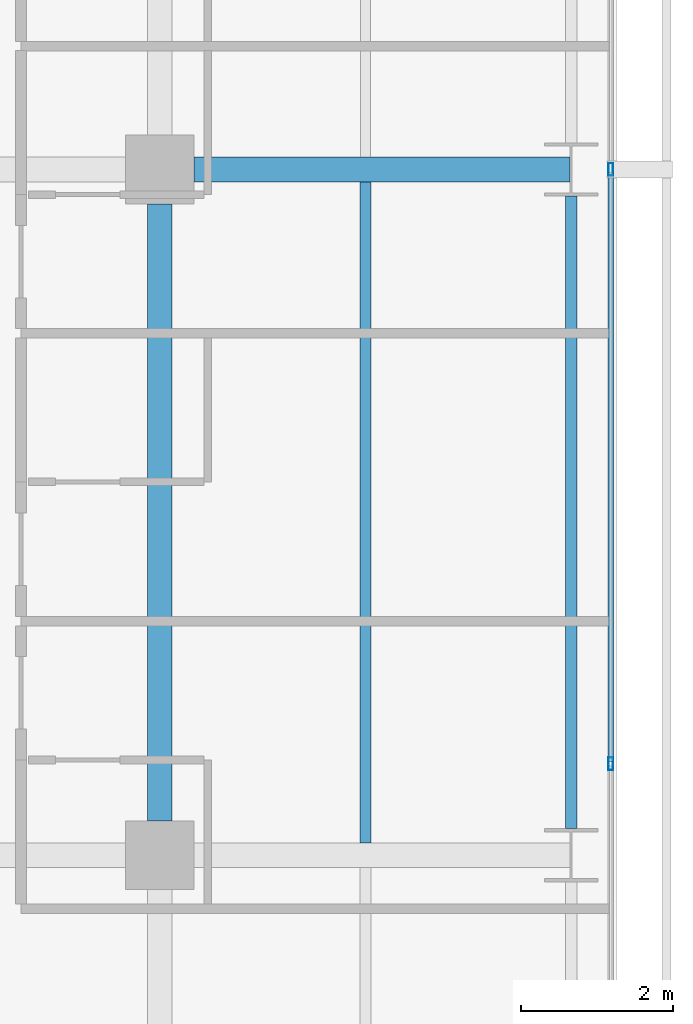
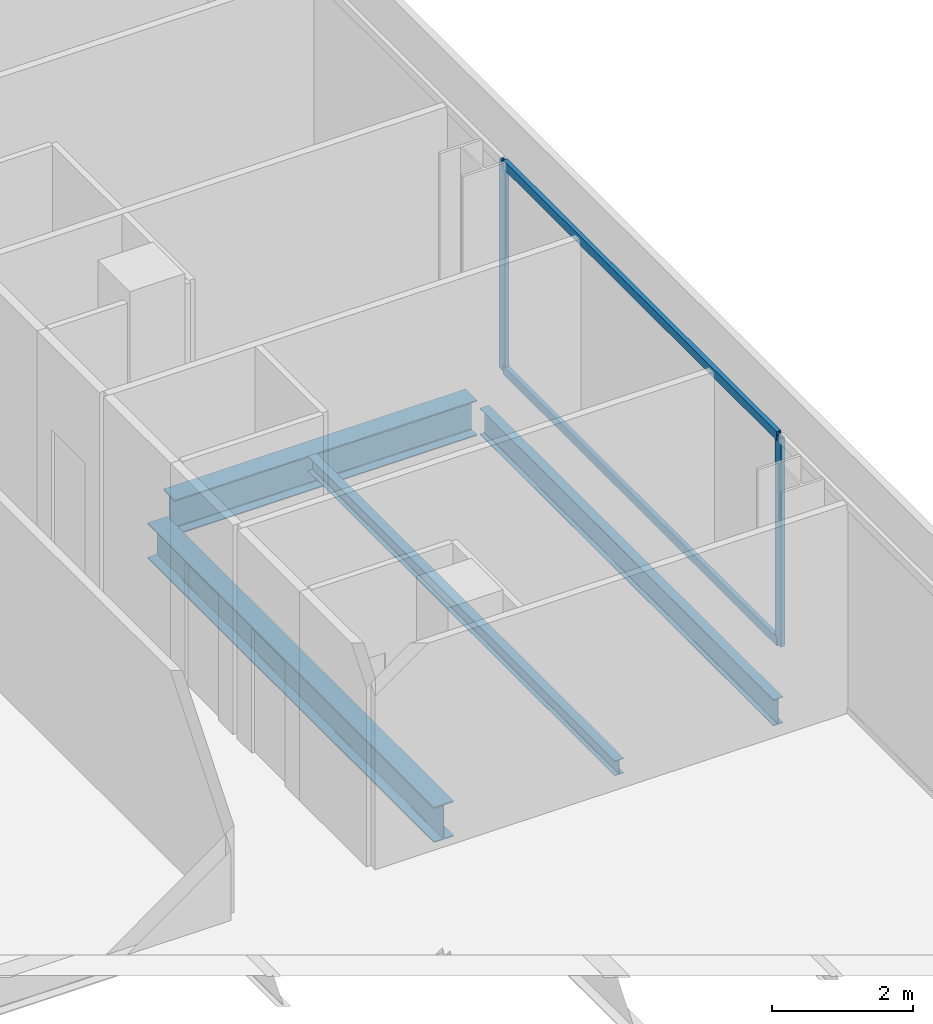
# One storey, part 19 of 40: 4 beams, 4 members, 1 element without a shape of its own.
"""IFC4 building model written with IfcOpenShell, lengths in metres."""

from ifc_helpers import new_model, si_unit, direction, frame, origin, origin_2d, place, context, subcontext, project, spatial, hollow_rectangle, i_section, extrude, material, layer, layer_set, material_profile, profile_set, type_object, element, aggregate, save


model = new_model("IFC4")

# Units and contexts
model_context = context("Model", 3, precision=1e-05, world=origin(), true_north=direction((0.0, 1.0)))
body_context = subcontext(model_context, "Body", "Model", "MODEL_VIEW")
ifc_project = project(units=[si_unit("LENGTHUNIT", "METRE"), si_unit("AREAUNIT", "SQUARE_METRE"), si_unit("VOLUMEUNIT", "CUBIC_METRE"), si_unit("PLANEANGLEUNIT", "RADIAN"), si_unit("MASSUNIT", "GRAM", prefix="KILO")], contexts=[model_context])

# Site, building, storey
site_placement = place(None, origin())
site = spatial("IfcSite", under=ifc_project, at=site_placement, CompositionType="ELEMENT")
building_placement = place(site_placement, origin())
building = spatial("IfcBuilding", under=site, at=building_placement, Name="Maruvema Waterfront Hotel and Observation Tower", CompositionType="ELEMENT")
storey_placement = place(building_placement, frame((0.0, 0.0, 103.949951171875)))
storey = spatial("IfcBuildingStorey", under=building, at=storey_placement, Name="L25", CompositionType="ELEMENT", Elevation=103.949951171875)

# Curtain wall, members
ifc_material_1 = material(Name="Anodised bronze aluminium and solar-control low-E IGU", Category="aluminium")
ifc_layer = layer(ifc_material_1, 0.159912109375, Name="Zone 1 Bronze Inner Thermal Curtain Wall System CW-02")
ifc_layer_set = layer_set([ifc_layer], Name="Anodised bronze aluminium and solar-control low-E IGU")
curtain_wall_type = type_object("IfcCurtainWallType", Name="Zone 1 Bronze Inner Thermal Curtain Wall System CW-02", PredefinedType="USERDEFINED", material=ifc_layer_set)
curtain_wall_placement = place(storey_placement, origin())
curtain_wall = element("IfcCurtainWall", 1, at=curtain_wall_placement, inside=storey, type_object=curtain_wall_type, Name="L25 Curtain Wall CW-L25-E", ObjectType="UNITISED CURTAIN WALL", PredefinedType="USERDEFINED")
ifc_material_2 = material(Name="Anodised architectural bronze aluminium", Category="aluminium")
ifc_material_profile_1 = material_profile(ifc_material_2, hollow_rectangle(XDim=0.070068359375, YDim=0.14990234375, WallThickness=0.00390625, at=origin_2d()), Name="ALU-T70x150")
ifc_profile_set_1 = profile_set([ifc_material_profile_1], Name="Anodised architectural bronze aluminium")
member_type_1 = type_object("IfcMemberType", Name="Curtain Wall Horizontal Transom ALU-T70x150", PredefinedType="USERDEFINED", material=ifc_profile_set_1)
member_1_placement = place(storey_placement, frame((64.719970703125, 19.22998046875, 0.030029296875), z_axis=(0.0, 1.0, 0.0), x_axis=(-1.0, 0.0, 0.0)))
member_1 = element("IfcMember", 2, at=member_1_placement, type_object=member_type_1, Name="CW-02 transom 3.1", ObjectType="TRANSOM", PredefinedType="USERDEFINED", context=body_context, shape_type="SweptSolid", body=[
    extrude(hollow_rectangle(XDim=0.070068359375, YDim=0.14990234375, WallThickness=0.00390625, at=origin_2d()), origin(), (0.0, 0.0, 1.0), 7.739990234375),
])
member_2_placement = place(storey_placement, frame((64.719970703125, 19.22998046875, 3.580078125), z_axis=(0.0, 1.0, 0.0), x_axis=(-1.0, 0.0, 0.0)))
member_2 = element("IfcMember", 3, at=member_2_placement, type_object=member_type_1, Name="CW-02 transom 3.2", ObjectType="TRANSOM", PredefinedType="USERDEFINED", context=body_context, shape_type="SweptSolid", body=[
    extrude(hollow_rectangle(XDim=0.070068359375, YDim=0.14990234375, WallThickness=0.00390625, at=origin_2d()), origin(), (0.0, 0.0, 1.0), 7.739990234375),
])
ifc_material_3 = material(Name="Anodised architectural bronze aluminium", Category="aluminium")
ifc_material_profile_2 = material_profile(ifc_material_3, hollow_rectangle(XDim=0.06494140625, YDim=0.1650390625, WallThickness=0.00390625, at=origin_2d()), Name="ALU-M65x165")
ifc_profile_set_2 = profile_set([ifc_material_profile_2], Name="Anodised architectural bronze aluminium")
member_type_2 = type_object("IfcMemberType", Name="Curtain Wall Primary Mullion ALU-M65x165", PredefinedType="MULLION", material=ifc_profile_set_2)
member_3_placement = place(storey_placement, frame((64.719970703125, 19.199951171875, 0.0), z_axis=(0.0, 0.0, 1.0), x_axis=(-1.0, 0.0, 0.0)))
member_3 = element("IfcMember", 4, at=member_3_placement, type_object=member_type_2, Name="CW-02 mullion 3", PredefinedType="MULLION", context=body_context, shape_type="SweptSolid", body=[
    extrude(hollow_rectangle(XDim=0.06494140625, YDim=0.1650390625, WallThickness=0.00390625, at=origin_2d()), origin(), (0.0, 0.0, 1.0), 3.610107421875),
])
member_4_placement = place(storey_placement, frame((64.719970703125, 27.0, 0.0), z_axis=(0.0, 0.0, 1.0), x_axis=(-1.0, 0.0, 0.0)))
member_4 = element("IfcMember", 5, at=member_4_placement, type_object=member_type_2, Name="CW-02 mullion 4", PredefinedType="MULLION", context=body_context, shape_type="SweptSolid", body=[
    extrude(hollow_rectangle(XDim=0.06494140625, YDim=0.1650390625, WallThickness=0.00390625, at=origin_2d()), origin(), (0.0, 0.0, 1.0), 3.610107421875),
])
aggregate(curtain_wall, [member_3, member_4, member_1, member_2])

# Beams
ifc_material_4 = material(Name="Steel ASTM A572 Grade 50", Category="steel")
ifc_material_profile_3 = material_profile(ifc_material_4, i_section(OverallWidth=0.153076171875, OverallDepth=0.455078125, WebThickness=0.008056640625, FlangeThickness=0.01318359375, FilletRadius=0.014892578125, at=origin_2d()), Name="W460x60.0")
ifc_profile_set_3 = profile_set([ifc_material_profile_3], Name="Steel ASTM A572 Grade 50")
beam_type_1 = type_object("IfcBeamType", Name="Perimeter Spandrel Beam W460x60.0", PredefinedType="SPANDREL", material=ifc_profile_set_3)
beam_1_placement = place(storey_placement, frame((64.199951171875, 18.35009765625, -0.467529296875), z_axis=(0.0, 1.0, 0.0), x_axis=(-1.0, 0.0, 0.0)))
element("IfcBeam", 6, at=beam_1_placement, inside=storey, type_object=beam_type_1, Name="L25 Floor Girder NS-34", PredefinedType="SPANDREL", context=body_context, shape_type="SweptSolid", body=[
    extrude(i_section(OverallWidth=0.153076171875, OverallDepth=0.455078125, WebThickness=0.008056640625, FlangeThickness=0.01318359375, FilletRadius=0.014892578125, at=origin_2d()), origin(), (0.0, 0.0, 1.0), 8.2998046875),
])
ifc_material_5 = material(Name="Steel ASTM A572 Grade 50", Category="steel")
ifc_material_profile_4 = material_profile(ifc_material_5, i_section(OverallWidth=0.323974609375, OverallDepth=0.611083984375, WebThickness=0.0126953125, FlangeThickness=0.01904296875, FilletRadius=0.01806640625, at=origin_2d()), Name="W610x155.0")
ifc_profile_set_4 = profile_set([ifc_material_profile_4], Name="Steel ASTM A572 Grade 50")
beam_type_2 = type_object("IfcBeamType", Name="Primary Floor Girder W610x155.0", PredefinedType="BEAM", material=ifc_profile_set_4)
beam_2_placement = place(storey_placement, frame((59.25, 27.0, -0.54541015625), z_axis=(1.0, 0.0, 0.0), x_axis=(0.0, 1.0, 0.0)))
element("IfcBeam", 7, at=beam_2_placement, inside=storey, type_object=beam_type_2, Name="L25 Floor Girder EW-24", PredefinedType="BEAM", context=body_context, shape_type="SweptSolid", body=[
    extrude(i_section(OverallWidth=0.323974609375, OverallDepth=0.611083984375, WebThickness=0.0126953125, FlangeThickness=0.01904296875, FilletRadius=0.01806640625, at=origin_2d()), origin(), (0.0, 0.0, 1.0), 4.93603515625),
])
beam_3_placement = place(storey_placement, frame((58.800048828125, 18.449951171875, -0.54541015625), z_axis=(0.0, 1.0, 0.0), x_axis=(-1.0, 0.0, 0.0)))
element("IfcBeam", 8, at=beam_3_placement, inside=storey, type_object=beam_type_2, Name="L25 Floor Girder NS-29", PredefinedType="BEAM", context=body_context, shape_type="SweptSolid", body=[
    extrude(i_section(OverallWidth=0.323974609375, OverallDepth=0.611083984375, WebThickness=0.0126953125, FlangeThickness=0.01904296875, FilletRadius=0.01806640625, at=origin_2d()), origin(), (0.0, 0.0, 1.0), 8.10009765625),
])
ifc_material_6 = material(Name="Steel ASTM A572 Grade 50", Category="steel")
ifc_material_profile_5 = material_profile(ifc_material_6, i_section(OverallWidth=0.14599609375, OverallDepth=0.258056640625, WebThickness=0.006103515625, FlangeThickness=0.009033203125, FilletRadius=0.012939453125, at=origin_2d()), Name="W250x32.7")
ifc_profile_set_5 = profile_set([ifc_material_profile_5], Name="Steel ASTM A572 Grade 50")
beam_type_3 = type_object("IfcBeamType", Name="Secondary Floor Joist W250x32.7", PredefinedType="JOIST", material=ifc_profile_set_5)
beam_4_placement = place(storey_placement, frame((61.5, 18.162109375, -0.368896484375), z_axis=(0.0, 1.0, 0.0), x_axis=(-1.0, 0.0, 0.0)))
element("IfcBeam", 9, at=beam_4_placement, inside=storey, type_object=beam_type_3, Name="L25 Secondary Floor Joist JS-22", PredefinedType="JOIST", context=body_context, shape_type="SweptSolid", body=[
    extrude(i_section(OverallWidth=0.14599609375, OverallDepth=0.258056640625, WebThickness=0.006103515625, FlangeThickness=0.009033203125, FilletRadius=0.012939453125, at=origin_2d()), origin(), (0.0, 0.0, 1.0), 8.67578125),
])

save(model, "model.ifc")
